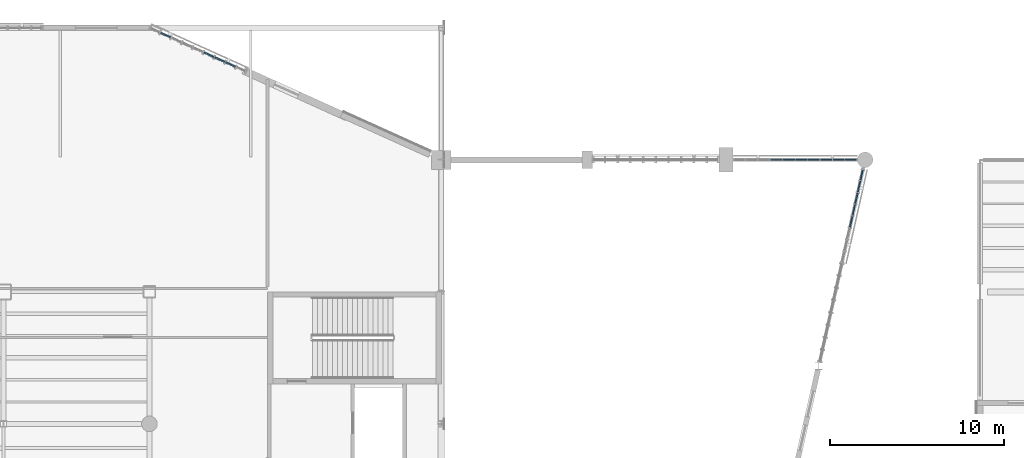
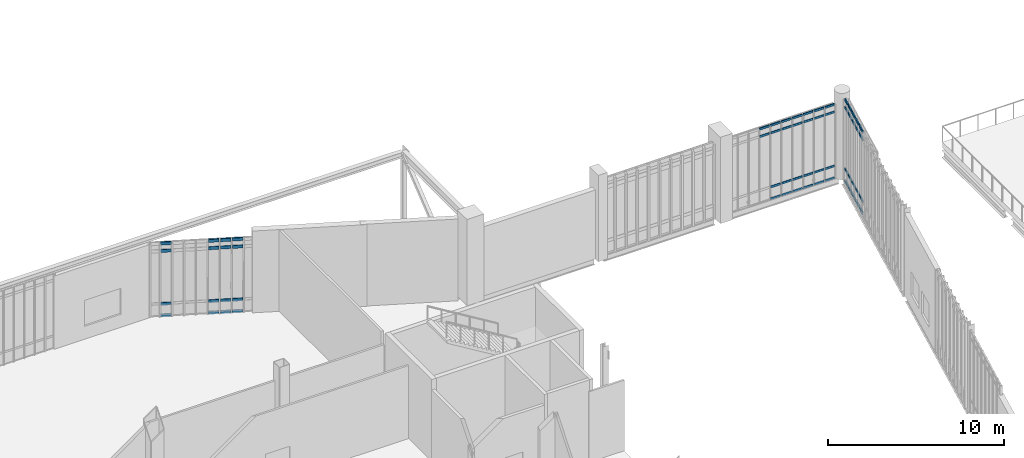
# One storey, part 60 of 135: 62 members, 3 elements without a shape of their own.
"""IFC4 building model written with IfcOpenShell, lengths in metres."""

from ifc_helpers import new_model, si_unit, direction, frame, origin, origin_2d, place, context, subcontext, project, spatial, rectangle, extrude, material, material_profile, profile_set, type_object, element, aggregate, save


model = new_model("IFC4")

# Units and contexts
model_context = context("Model", 3, precision=1e-05, world=origin(), true_north=direction((0.0, 1.0)))
body_context = subcontext(model_context, "Body", "Model", "MODEL_VIEW")
ifc_project = project(units=[si_unit("LENGTHUNIT", "METRE"), si_unit("AREAUNIT", "SQUARE_METRE"), si_unit("VOLUMEUNIT", "CUBIC_METRE"), si_unit("PLANEANGLEUNIT", "RADIAN"), si_unit("MASSUNIT", "GRAM", prefix="KILO")], contexts=[model_context])

# Site, building, storey
site_placement = place(None, origin())
site = spatial("IfcSite", under=ifc_project, at=site_placement, CompositionType="ELEMENT")
building_placement = place(site_placement, origin())
building = spatial("IfcBuilding", under=site, at=building_placement, Name="Larkvane Passage Sports Hall", CompositionType="ELEMENT")
storey_placement = place(building_placement, frame((0.0, 0.0, 10.800048828125)))
storey = spatial("IfcBuildingStorey", under=building, at=storey_placement, Name="L02", CompositionType="ELEMENT", Elevation=10.800048828125)

# Curtain wall, members
ifc_material_1 = material(Name="Thermally broken aluminium and low-E glazing", Category="aluminium")
curtain_wall_type_1 = type_object("IfcCurtainWallType", Name="CW-UNIT-COURT", PredefinedType="USERDEFINED", material=ifc_material_1)
curtain_wall_1_placement = place(storey_placement, origin())
curtain_wall_1 = element("IfcCurtainWall", 1, at=curtain_wall_1_placement, inside=storey, type_object=curtain_wall_type_1, Name="Curtain wall CW5-L02-080", ObjectType="UNITISED CURTAIN WALL", PredefinedType="USERDEFINED")
ifc_material_2 = material(Name="Anodised aluminium 6063-T6", Category="aluminium")
ifc_material_profile_1 = material_profile(ifc_material_2, rectangle(XDim=0.06494140625, YDim=0.139892578125, at=origin_2d()), Name="ALU-TRN-65x140")
ifc_profile_set_1 = profile_set([ifc_material_profile_1], Name="Anodised aluminium 6063-T6")
member_type_1 = type_object("IfcMemberType", Name="CW-TRN-65x140", PredefinedType="USERDEFINED", material=ifc_profile_set_1)
member_1_placement = place(storey_placement, frame((112.575927734375, 99.199951171875, 4.597900390625), z_axis=(1.0, 0.0, 0.0), x_axis=(0.0, 1.0, 0.0)))
member_1 = element("IfcMember", 2, at=member_1_placement, type_object=member_type_1, Name="CW-01 transom 4.3", ObjectType="TRANSOM", PredefinedType="USERDEFINED", context=body_context, shape_type="SweptSolid", body=[
    extrude(rectangle(XDim=0.06494140625, YDim=0.139892578125, at=origin_2d()), origin(), (0.0, 0.0, 1.0), 0.65087890625),
])
member_2_placement = place(storey_placement, frame((112.575927734375, 99.199951171875, 5.115478515625), z_axis=(1.0, 0.0, 0.0), x_axis=(0.0, 1.0, 0.0)))
member_2 = element("IfcMember", 3, at=member_2_placement, type_object=member_type_1, Name="CW-01 transom 4.4", ObjectType="TRANSOM", PredefinedType="USERDEFINED", context=body_context, shape_type="SweptSolid", body=[
    extrude(rectangle(XDim=0.06494140625, YDim=0.139892578125, at=origin_2d()), origin(), (0.0, 0.0, 1.0), 0.65087890625),
])
member_3_placement = place(storey_placement, frame((113.291748046875, 99.199951171875, 0.032470703125), z_axis=(1.0, 0.0, 0.0), x_axis=(0.0, 1.0, 0.0)))
member_3 = element("IfcMember", 4, at=member_3_placement, type_object=member_type_1, Name="CW-01 transom 5.1", ObjectType="TRANSOM", PredefinedType="USERDEFINED", context=body_context, shape_type="SweptSolid", body=[
    extrude(rectangle(XDim=0.06494140625, YDim=0.139892578125, at=origin_2d()), origin(), (0.0, 0.0, 1.0), 0.650634765625),
])
member_4_placement = place(storey_placement, frame((113.291748046875, 99.199951171875, 0.849853515625), z_axis=(1.0, 0.0, 0.0), x_axis=(0.0, 1.0, 0.0)))
member_4 = element("IfcMember", 5, at=member_4_placement, type_object=member_type_1, Name="CW-01 transom 5.2", ObjectType="TRANSOM", PredefinedType="USERDEFINED", context=body_context, shape_type="SweptSolid", body=[
    extrude(rectangle(XDim=0.06494140625, YDim=0.139892578125, at=origin_2d()), origin(), (0.0, 0.0, 1.0), 0.650634765625),
])
member_5_placement = place(storey_placement, frame((113.291748046875, 99.199951171875, 4.597900390625), z_axis=(1.0, 0.0, 0.0), x_axis=(0.0, 1.0, 0.0)))
member_5 = element("IfcMember", 6, at=member_5_placement, type_object=member_type_1, Name="CW-01 transom 5.3", ObjectType="TRANSOM", PredefinedType="USERDEFINED", context=body_context, shape_type="SweptSolid", body=[
    extrude(rectangle(XDim=0.06494140625, YDim=0.139892578125, at=origin_2d()), origin(), (0.0, 0.0, 1.0), 0.650634765625),
])
member_6_placement = place(storey_placement, frame((113.291748046875, 99.199951171875, 5.115478515625), z_axis=(1.0, 0.0, 0.0), x_axis=(0.0, 1.0, 0.0)))
member_6 = element("IfcMember", 7, at=member_6_placement, type_object=member_type_1, Name="CW-01 transom 5.4", ObjectType="TRANSOM", PredefinedType="USERDEFINED", context=body_context, shape_type="SweptSolid", body=[
    extrude(rectangle(XDim=0.06494140625, YDim=0.139892578125, at=origin_2d()), origin(), (0.0, 0.0, 1.0), 0.650634765625),
])
member_7_placement = place(storey_placement, frame((114.007568359375, 99.199951171875, 0.032470703125), z_axis=(1.0, 0.0, 0.0), x_axis=(0.0, 1.0, 0.0)))
member_7 = element("IfcMember", 8, at=member_7_placement, type_object=member_type_1, Name="CW-01 transom 6.1", ObjectType="TRANSOM", PredefinedType="USERDEFINED", context=body_context, shape_type="SweptSolid", body=[
    extrude(rectangle(XDim=0.06494140625, YDim=0.139892578125, at=origin_2d()), origin(), (0.0, 0.0, 1.0), 0.650634765625),
])
member_8_placement = place(storey_placement, frame((114.007568359375, 99.199951171875, 0.849853515625), z_axis=(1.0, 0.0, 0.0), x_axis=(0.0, 1.0, 0.0)))
member_8 = element("IfcMember", 9, at=member_8_placement, type_object=member_type_1, Name="CW-01 transom 6.2", ObjectType="TRANSOM", PredefinedType="USERDEFINED", context=body_context, shape_type="SweptSolid", body=[
    extrude(rectangle(XDim=0.06494140625, YDim=0.139892578125, at=origin_2d()), origin(), (0.0, 0.0, 1.0), 0.650634765625),
])
member_9_placement = place(storey_placement, frame((114.007568359375, 99.199951171875, 4.597900390625), z_axis=(1.0, 0.0, 0.0), x_axis=(0.0, 1.0, 0.0)))
member_9 = element("IfcMember", 10, at=member_9_placement, type_object=member_type_1, Name="CW-01 transom 6.3", ObjectType="TRANSOM", PredefinedType="USERDEFINED", context=body_context, shape_type="SweptSolid", body=[
    extrude(rectangle(XDim=0.06494140625, YDim=0.139892578125, at=origin_2d()), origin(), (0.0, 0.0, 1.0), 0.650634765625),
])
member_10_placement = place(storey_placement, frame((114.007568359375, 99.199951171875, 5.115478515625), z_axis=(1.0, 0.0, 0.0), x_axis=(0.0, 1.0, 0.0)))
member_10 = element("IfcMember", 11, at=member_10_placement, type_object=member_type_1, Name="CW-01 transom 6.4", ObjectType="TRANSOM", PredefinedType="USERDEFINED", context=body_context, shape_type="SweptSolid", body=[
    extrude(rectangle(XDim=0.06494140625, YDim=0.139892578125, at=origin_2d()), origin(), (0.0, 0.0, 1.0), 0.650634765625),
])
member_11_placement = place(storey_placement, frame((114.723388671875, 99.199951171875, 0.032470703125), z_axis=(1.0, 0.0, 0.0), x_axis=(0.0, 1.0, 0.0)))
member_11 = element("IfcMember", 12, at=member_11_placement, type_object=member_type_1, Name="CW-01 transom 7.1", ObjectType="TRANSOM", PredefinedType="USERDEFINED", context=body_context, shape_type="SweptSolid", body=[
    extrude(rectangle(XDim=0.06494140625, YDim=0.139892578125, at=origin_2d()), origin(), (0.0, 0.0, 1.0), 0.650634765625),
])
member_12_placement = place(storey_placement, frame((114.723388671875, 99.199951171875, 0.849853515625), z_axis=(1.0, 0.0, 0.0), x_axis=(0.0, 1.0, 0.0)))
member_12 = element("IfcMember", 13, at=member_12_placement, type_object=member_type_1, Name="CW-01 transom 7.2", ObjectType="TRANSOM", PredefinedType="USERDEFINED", context=body_context, shape_type="SweptSolid", body=[
    extrude(rectangle(XDim=0.06494140625, YDim=0.139892578125, at=origin_2d()), origin(), (0.0, 0.0, 1.0), 0.650634765625),
])
member_13_placement = place(storey_placement, frame((114.723388671875, 99.199951171875, 4.597900390625), z_axis=(1.0, 0.0, 0.0), x_axis=(0.0, 1.0, 0.0)))
member_13 = element("IfcMember", 14, at=member_13_placement, type_object=member_type_1, Name="CW-01 transom 7.3", ObjectType="TRANSOM", PredefinedType="USERDEFINED", context=body_context, shape_type="SweptSolid", body=[
    extrude(rectangle(XDim=0.06494140625, YDim=0.139892578125, at=origin_2d()), origin(), (0.0, 0.0, 1.0), 0.650634765625),
])
member_14_placement = place(storey_placement, frame((114.723388671875, 99.199951171875, 5.115478515625), z_axis=(1.0, 0.0, 0.0), x_axis=(0.0, 1.0, 0.0)))
member_14 = element("IfcMember", 15, at=member_14_placement, type_object=member_type_1, Name="CW-01 transom 7.4", ObjectType="TRANSOM", PredefinedType="USERDEFINED", context=body_context, shape_type="SweptSolid", body=[
    extrude(rectangle(XDim=0.06494140625, YDim=0.139892578125, at=origin_2d()), origin(), (0.0, 0.0, 1.0), 0.650634765625),
])
member_15_placement = place(storey_placement, frame((115.439208984375, 99.199951171875, 0.032470703125), z_axis=(1.0, 0.0, 0.0), x_axis=(0.0, 1.0, 0.0)))
member_15 = element("IfcMember", 16, at=member_15_placement, type_object=member_type_1, Name="CW-01 transom 8.1", ObjectType="TRANSOM", PredefinedType="USERDEFINED", context=body_context, shape_type="SweptSolid", body=[
    extrude(rectangle(XDim=0.06494140625, YDim=0.139892578125, at=origin_2d()), origin(), (0.0, 0.0, 1.0), 0.650634765625),
])
member_16_placement = place(storey_placement, frame((115.439208984375, 99.199951171875, 0.849853515625), z_axis=(1.0, 0.0, 0.0), x_axis=(0.0, 1.0, 0.0)))
member_16 = element("IfcMember", 17, at=member_16_placement, type_object=member_type_1, Name="CW-01 transom 8.2", ObjectType="TRANSOM", PredefinedType="USERDEFINED", context=body_context, shape_type="SweptSolid", body=[
    extrude(rectangle(XDim=0.06494140625, YDim=0.139892578125, at=origin_2d()), origin(), (0.0, 0.0, 1.0), 0.650634765625),
])
member_17_placement = place(storey_placement, frame((115.439208984375, 99.199951171875, 4.597900390625), z_axis=(1.0, 0.0, 0.0), x_axis=(0.0, 1.0, 0.0)))
member_17 = element("IfcMember", 18, at=member_17_placement, type_object=member_type_1, Name="CW-01 transom 8.3", ObjectType="TRANSOM", PredefinedType="USERDEFINED", context=body_context, shape_type="SweptSolid", body=[
    extrude(rectangle(XDim=0.06494140625, YDim=0.139892578125, at=origin_2d()), origin(), (0.0, 0.0, 1.0), 0.650634765625),
])
member_18_placement = place(storey_placement, frame((115.439208984375, 99.199951171875, 5.115478515625), z_axis=(1.0, 0.0, 0.0), x_axis=(0.0, 1.0, 0.0)))
member_18 = element("IfcMember", 19, at=member_18_placement, type_object=member_type_1, Name="CW-01 transom 8.4", ObjectType="TRANSOM", PredefinedType="USERDEFINED", context=body_context, shape_type="SweptSolid", body=[
    extrude(rectangle(XDim=0.06494140625, YDim=0.139892578125, at=origin_2d()), origin(), (0.0, 0.0, 1.0), 0.650634765625),
])
member_19_placement = place(storey_placement, frame((116.15478515625, 99.199951171875, 0.032470703125), z_axis=(1.0, 0.0, 0.0), x_axis=(0.0, 1.0, 0.0)))
member_19 = element("IfcMember", 20, at=member_19_placement, type_object=member_type_1, Name="CW-01 transom 9.1", ObjectType="TRANSOM", PredefinedType="USERDEFINED", context=body_context, shape_type="SweptSolid", body=[
    extrude(rectangle(XDim=0.06494140625, YDim=0.139892578125, at=origin_2d()), origin(), (0.0, 0.0, 1.0), 0.65087890625),
])
member_20_placement = place(storey_placement, frame((116.15478515625, 99.199951171875, 0.849853515625), z_axis=(1.0, 0.0, 0.0), x_axis=(0.0, 1.0, 0.0)))
member_20 = element("IfcMember", 21, at=member_20_placement, type_object=member_type_1, Name="CW-01 transom 9.2", ObjectType="TRANSOM", PredefinedType="USERDEFINED", context=body_context, shape_type="SweptSolid", body=[
    extrude(rectangle(XDim=0.06494140625, YDim=0.139892578125, at=origin_2d()), origin(), (0.0, 0.0, 1.0), 0.65087890625),
])
member_21_placement = place(storey_placement, frame((116.15478515625, 99.199951171875, 4.597900390625), z_axis=(1.0, 0.0, 0.0), x_axis=(0.0, 1.0, 0.0)))
member_21 = element("IfcMember", 22, at=member_21_placement, type_object=member_type_1, Name="CW-01 transom 9.3", ObjectType="TRANSOM", PredefinedType="USERDEFINED", context=body_context, shape_type="SweptSolid", body=[
    extrude(rectangle(XDim=0.06494140625, YDim=0.139892578125, at=origin_2d()), origin(), (0.0, 0.0, 1.0), 0.65087890625),
])
member_22_placement = place(storey_placement, frame((116.15478515625, 99.199951171875, 5.115478515625), z_axis=(1.0, 0.0, 0.0), x_axis=(0.0, 1.0, 0.0)))
member_22 = element("IfcMember", 23, at=member_22_placement, type_object=member_type_1, Name="CW-01 transom 9.4", ObjectType="TRANSOM", PredefinedType="USERDEFINED", context=body_context, shape_type="SweptSolid", body=[
    extrude(rectangle(XDim=0.06494140625, YDim=0.139892578125, at=origin_2d()), origin(), (0.0, 0.0, 1.0), 0.65087890625),
])
member_23_placement = place(storey_placement, frame((116.87060546875, 99.199951171875, 0.032470703125), z_axis=(1.0, 0.0, 0.0), x_axis=(0.0, 1.0, 0.0)))
member_23 = element("IfcMember", 24, at=member_23_placement, type_object=member_type_1, Name="CW-01 transom 10.1", ObjectType="TRANSOM", PredefinedType="USERDEFINED", context=body_context, shape_type="SweptSolid", body=[
    extrude(rectangle(XDim=0.06494140625, YDim=0.139892578125, at=origin_2d()), origin(), (0.0, 0.0, 1.0), 0.618408203125),
])
member_24_placement = place(storey_placement, frame((116.87060546875, 99.199951171875, 0.849853515625), z_axis=(1.0, 0.0, 0.0), x_axis=(0.0, 1.0, 0.0)))
member_24 = element("IfcMember", 25, at=member_24_placement, type_object=member_type_1, Name="CW-01 transom 10.2", ObjectType="TRANSOM", PredefinedType="USERDEFINED", context=body_context, shape_type="SweptSolid", body=[
    extrude(rectangle(XDim=0.06494140625, YDim=0.139892578125, at=origin_2d()), origin(), (0.0, 0.0, 1.0), 0.618408203125),
])
member_25_placement = place(storey_placement, frame((116.87060546875, 99.199951171875, 4.597900390625), z_axis=(1.0, 0.0, 0.0), x_axis=(0.0, 1.0, 0.0)))
member_25 = element("IfcMember", 26, at=member_25_placement, type_object=member_type_1, Name="CW-01 transom 10.3", ObjectType="TRANSOM", PredefinedType="USERDEFINED", context=body_context, shape_type="SweptSolid", body=[
    extrude(rectangle(XDim=0.06494140625, YDim=0.139892578125, at=origin_2d()), origin(), (0.0, 0.0, 1.0), 0.618408203125),
])
member_26_placement = place(storey_placement, frame((116.87060546875, 99.199951171875, 5.115478515625), z_axis=(1.0, 0.0, 0.0), x_axis=(0.0, 1.0, 0.0)))
member_26 = element("IfcMember", 27, at=member_26_placement, type_object=member_type_1, Name="CW-01 transom 10.4", ObjectType="TRANSOM", PredefinedType="USERDEFINED", context=body_context, shape_type="SweptSolid", body=[
    extrude(rectangle(XDim=0.06494140625, YDim=0.139892578125, at=origin_2d()), origin(), (0.0, 0.0, 1.0), 0.618408203125),
])
aggregate(curtain_wall_1, [member_1, member_2, member_3, member_4, member_5, member_6, member_7, member_8, member_9, member_10, member_11, member_12, member_13, member_14, member_15, member_16, member_17, member_18, member_19, member_20, member_21, member_22, member_23, member_24, member_25, member_26])

curtain_wall_type_2 = type_object("IfcCurtainWallType", Name="CW-UNIT-VEIL", PredefinedType="USERDEFINED", material=ifc_material_1)
curtain_wall_2_placement = place(storey_placement, origin())
curtain_wall_2 = element("IfcCurtainWall", 28, at=curtain_wall_2_placement, inside=storey, type_object=curtain_wall_type_2, Name="Curtain wall CW5-L02-081", ObjectType="UNITISED CURTAIN WALL", PredefinedType="USERDEFINED")
ifc_material_profile_2 = material_profile(ifc_material_2, rectangle(XDim=0.074951171875, YDim=0.18505859375, at=origin_2d()), Name="ALU-TRN-75x185")
ifc_profile_set_2 = profile_set([ifc_material_profile_2], Name="Anodised aluminium 6063-T6")
member_type_2 = type_object("IfcMemberType", Name="CW-TRN-75x185", PredefinedType="USERDEFINED", material=ifc_profile_set_2)
member_27_placement = place(storey_placement, frame((117.866455078125, 98.606201171875, 0.037353515625), z_axis=(-0.219242344459, -0.97567043329, 0.0), x_axis=(0.97567043329, -0.219242344459, 0.0)))
member_27 = element("IfcMember", 29, at=member_27_placement, type_object=member_type_2, Name="CW-02 transom 1.1", ObjectType="TRANSOM", PredefinedType="USERDEFINED", context=body_context, shape_type="SweptSolid", body=[
    extrude(rectangle(XDim=0.074951171875, YDim=0.18505859375, at=origin_2d()), origin(), (0.0, 0.0, 1.0), 0.581298828125),
])
member_28_placement = place(storey_placement, frame((117.866455078125, 98.606201171875, 0.849853515625), z_axis=(-0.219242344459, -0.97567043329, 0.0), x_axis=(0.97567043329, -0.219242344459, 0.0)))
member_28 = element("IfcMember", 30, at=member_28_placement, type_object=member_type_2, Name="CW-02 transom 1.2", ObjectType="TRANSOM", PredefinedType="USERDEFINED", context=body_context, shape_type="SweptSolid", body=[
    extrude(rectangle(XDim=0.074951171875, YDim=0.18505859375, at=origin_2d()), origin(), (0.0, 0.0, 1.0), 0.581298828125),
])
member_29_placement = place(storey_placement, frame((117.866455078125, 98.606201171875, 5.14990234375), z_axis=(-0.219242344459, -0.97567043329, 0.0), x_axis=(0.97567043329, -0.219242344459, 0.0)))
member_29 = element("IfcMember", 31, at=member_29_placement, type_object=member_type_2, Name="CW-02 transom 1.3", ObjectType="TRANSOM", PredefinedType="USERDEFINED", context=body_context, shape_type="SweptSolid", body=[
    extrude(rectangle(XDim=0.074951171875, YDim=0.18505859375, at=origin_2d()), origin(), (0.0, 0.0, 1.0), 0.581298828125),
])
member_30_placement = place(storey_placement, frame((117.866455078125, 98.606201171875, 5.662353515625), z_axis=(-0.219242344459, -0.97567043329, 0.0), x_axis=(0.97567043329, -0.219242344459, 0.0)))
member_30 = element("IfcMember", 32, at=member_30_placement, type_object=member_type_2, Name="CW-02 transom 1.4", ObjectType="TRANSOM", PredefinedType="USERDEFINED", context=body_context, shape_type="SweptSolid", body=[
    extrude(rectangle(XDim=0.074951171875, YDim=0.18505859375, at=origin_2d()), origin(), (0.0, 0.0, 1.0), 0.581298828125),
])
member_31_placement = place(storey_placement, frame((117.72265625, 97.9658203125, 0.037353515625), z_axis=(-0.219437063767, -0.975626657613, 0.0), x_axis=(0.975626657613, -0.219437063767, 0.0)))
member_31 = element("IfcMember", 33, at=member_31_placement, type_object=member_type_2, Name="CW-02 transom 2.1", ObjectType="TRANSOM", PredefinedType="USERDEFINED", context=body_context, shape_type="SweptSolid", body=[
    extrude(rectangle(XDim=0.074951171875, YDim=0.18505859375, at=origin_2d()), origin(), (0.0, 0.0, 1.0), 0.61865234375),
])
member_32_placement = place(storey_placement, frame((117.72265625, 97.9658203125, 0.849853515625), z_axis=(-0.219437063767, -0.975626657613, 0.0), x_axis=(0.975626657613, -0.219437063767, 0.0)))
member_32 = element("IfcMember", 34, at=member_32_placement, type_object=member_type_2, Name="CW-02 transom 2.2", ObjectType="TRANSOM", PredefinedType="USERDEFINED", context=body_context, shape_type="SweptSolid", body=[
    extrude(rectangle(XDim=0.074951171875, YDim=0.18505859375, at=origin_2d()), origin(), (0.0, 0.0, 1.0), 0.61865234375),
])
member_33_placement = place(storey_placement, frame((117.72265625, 97.9658203125, 5.14990234375), z_axis=(-0.219437063767, -0.975626657613, 0.0), x_axis=(0.975626657613, -0.219437063767, 0.0)))
member_33 = element("IfcMember", 35, at=member_33_placement, type_object=member_type_2, Name="CW-02 transom 2.3", ObjectType="TRANSOM", PredefinedType="USERDEFINED", context=body_context, shape_type="SweptSolid", body=[
    extrude(rectangle(XDim=0.074951171875, YDim=0.18505859375, at=origin_2d()), origin(), (0.0, 0.0, 1.0), 0.61865234375),
])
member_34_placement = place(storey_placement, frame((117.72265625, 97.9658203125, 5.662353515625), z_axis=(-0.219437063767, -0.975626657613, 0.0), x_axis=(0.975626657613, -0.219437063767, 0.0)))
member_34 = element("IfcMember", 36, at=member_34_placement, type_object=member_type_2, Name="CW-02 transom 2.4", ObjectType="TRANSOM", PredefinedType="USERDEFINED", context=body_context, shape_type="SweptSolid", body=[
    extrude(rectangle(XDim=0.074951171875, YDim=0.18505859375, at=origin_2d()), origin(), (0.0, 0.0, 1.0), 0.61865234375),
])
member_35_placement = place(storey_placement, frame((117.570556640625, 97.2890625, 0.037353515625), z_axis=(-0.219352600891, -0.975645651086, 0.0), x_axis=(0.975645651086, -0.219352600891, 0.0)))
member_35 = element("IfcMember", 37, at=member_35_placement, type_object=member_type_2, Name="CW-02 transom 3.1", ObjectType="TRANSOM", PredefinedType="USERDEFINED", context=body_context, shape_type="SweptSolid", body=[
    extrude(rectangle(XDim=0.074951171875, YDim=0.18505859375, at=origin_2d()), origin(), (0.0, 0.0, 1.0), 0.618896484375),
])
member_36_placement = place(storey_placement, frame((117.570556640625, 97.2890625, 0.849853515625), z_axis=(-0.219352600891, -0.975645651086, 0.0), x_axis=(0.975645651086, -0.219352600891, 0.0)))
member_36 = element("IfcMember", 38, at=member_36_placement, type_object=member_type_2, Name="CW-02 transom 3.2", ObjectType="TRANSOM", PredefinedType="USERDEFINED", context=body_context, shape_type="SweptSolid", body=[
    extrude(rectangle(XDim=0.074951171875, YDim=0.18505859375, at=origin_2d()), origin(), (0.0, 0.0, 1.0), 0.618896484375),
])
member_37_placement = place(storey_placement, frame((117.570556640625, 97.2890625, 5.14990234375), z_axis=(-0.219352600891, -0.975645651086, 0.0), x_axis=(0.975645651086, -0.219352600891, 0.0)))
member_37 = element("IfcMember", 39, at=member_37_placement, type_object=member_type_2, Name="CW-02 transom 3.3", ObjectType="TRANSOM", PredefinedType="USERDEFINED", context=body_context, shape_type="SweptSolid", body=[
    extrude(rectangle(XDim=0.074951171875, YDim=0.18505859375, at=origin_2d()), origin(), (0.0, 0.0, 1.0), 0.618896484375),
])
member_38_placement = place(storey_placement, frame((117.570556640625, 97.2890625, 5.662353515625), z_axis=(-0.219352600891, -0.975645651086, 0.0), x_axis=(0.975645651086, -0.219352600891, 0.0)))
member_38 = element("IfcMember", 40, at=member_38_placement, type_object=member_type_2, Name="CW-02 transom 3.4", ObjectType="TRANSOM", PredefinedType="USERDEFINED", context=body_context, shape_type="SweptSolid", body=[
    extrude(rectangle(XDim=0.074951171875, YDim=0.18505859375, at=origin_2d()), origin(), (0.0, 0.0, 1.0), 0.618896484375),
])
member_39_placement = place(storey_placement, frame((117.41845703125, 96.6123046875, 0.037353515625), z_axis=(-0.219352600891, -0.975645651086, 0.0), x_axis=(0.975645651086, -0.219352600891, 0.0)))
member_39 = element("IfcMember", 41, at=member_39_placement, type_object=member_type_2, Name="CW-02 transom 4.1", ObjectType="TRANSOM", PredefinedType="USERDEFINED", context=body_context, shape_type="SweptSolid", body=[
    extrude(rectangle(XDim=0.074951171875, YDim=0.18505859375, at=origin_2d()), origin(), (0.0, 0.0, 1.0), 0.618896484375),
])
member_40_placement = place(storey_placement, frame((117.41845703125, 96.6123046875, 0.849853515625), z_axis=(-0.219352600891, -0.975645651086, 0.0), x_axis=(0.975645651086, -0.219352600891, 0.0)))
member_40 = element("IfcMember", 42, at=member_40_placement, type_object=member_type_2, Name="CW-02 transom 4.2", ObjectType="TRANSOM", PredefinedType="USERDEFINED", context=body_context, shape_type="SweptSolid", body=[
    extrude(rectangle(XDim=0.074951171875, YDim=0.18505859375, at=origin_2d()), origin(), (0.0, 0.0, 1.0), 0.618896484375),
])
member_41_placement = place(storey_placement, frame((117.41845703125, 96.6123046875, 5.14990234375), z_axis=(-0.219352600891, -0.975645651086, 0.0), x_axis=(0.975645651086, -0.219352600891, 0.0)))
member_41 = element("IfcMember", 43, at=member_41_placement, type_object=member_type_2, Name="CW-02 transom 4.3", ObjectType="TRANSOM", PredefinedType="USERDEFINED", context=body_context, shape_type="SweptSolid", body=[
    extrude(rectangle(XDim=0.074951171875, YDim=0.18505859375, at=origin_2d()), origin(), (0.0, 0.0, 1.0), 0.618896484375),
])
member_42_placement = place(storey_placement, frame((117.41845703125, 96.6123046875, 5.662353515625), z_axis=(-0.219352600891, -0.975645651086, 0.0), x_axis=(0.975645651086, -0.219352600891, 0.0)))
member_42 = element("IfcMember", 44, at=member_42_placement, type_object=member_type_2, Name="CW-02 transom 4.4", ObjectType="TRANSOM", PredefinedType="USERDEFINED", context=body_context, shape_type="SweptSolid", body=[
    extrude(rectangle(XDim=0.074951171875, YDim=0.18505859375, at=origin_2d()), origin(), (0.0, 0.0, 1.0), 0.618896484375),
])
member_43_placement = place(storey_placement, frame((117.266357421875, 95.935302734375, 0.037353515625), z_axis=(-0.219437063767, -0.975626657613, 0.0), x_axis=(0.975626657613, -0.219437063767, 0.0)))
member_43 = element("IfcMember", 45, at=member_43_placement, type_object=member_type_2, Name="CW-02 transom 5.1", ObjectType="TRANSOM", PredefinedType="USERDEFINED", context=body_context, shape_type="SweptSolid", body=[
    extrude(rectangle(XDim=0.074951171875, YDim=0.18505859375, at=origin_2d()), origin(), (0.0, 0.0, 1.0), 0.61865234375),
])
member_44_placement = place(storey_placement, frame((117.266357421875, 95.935302734375, 0.849853515625), z_axis=(-0.219437063767, -0.975626657613, 0.0), x_axis=(0.975626657613, -0.219437063767, 0.0)))
member_44 = element("IfcMember", 46, at=member_44_placement, type_object=member_type_2, Name="CW-02 transom 5.2", ObjectType="TRANSOM", PredefinedType="USERDEFINED", context=body_context, shape_type="SweptSolid", body=[
    extrude(rectangle(XDim=0.074951171875, YDim=0.18505859375, at=origin_2d()), origin(), (0.0, 0.0, 1.0), 0.61865234375),
])
member_45_placement = place(storey_placement, frame((117.266357421875, 95.935302734375, 5.14990234375), z_axis=(-0.219437063767, -0.975626657613, 0.0), x_axis=(0.975626657613, -0.219437063767, 0.0)))
member_45 = element("IfcMember", 47, at=member_45_placement, type_object=member_type_2, Name="CW-02 transom 5.3", ObjectType="TRANSOM", PredefinedType="USERDEFINED", context=body_context, shape_type="SweptSolid", body=[
    extrude(rectangle(XDim=0.074951171875, YDim=0.18505859375, at=origin_2d()), origin(), (0.0, 0.0, 1.0), 0.61865234375),
])
member_46_placement = place(storey_placement, frame((117.266357421875, 95.935302734375, 5.662353515625), z_axis=(-0.219437063767, -0.975626657613, 0.0), x_axis=(0.975626657613, -0.219437063767, 0.0)))
member_46 = element("IfcMember", 48, at=member_46_placement, type_object=member_type_2, Name="CW-02 transom 5.4", ObjectType="TRANSOM", PredefinedType="USERDEFINED", context=body_context, shape_type="SweptSolid", body=[
    extrude(rectangle(XDim=0.074951171875, YDim=0.18505859375, at=origin_2d()), origin(), (0.0, 0.0, 1.0), 0.61865234375),
])
aggregate(curtain_wall_2, [member_27, member_28, member_29, member_30, member_31, member_32, member_33, member_34, member_35, member_36, member_37, member_38, member_39, member_40, member_41, member_42, member_43, member_44, member_45, member_46])

curtain_wall_type_3 = type_object("IfcCurtainWallType", Name="CW-STICK-FOYER", PredefinedType="USERDEFINED", material=ifc_material_1)
curtain_wall_3_placement = place(storey_placement, origin())
curtain_wall_3 = element("IfcCurtainWall", 49, at=curtain_wall_3_placement, inside=storey, type_object=curtain_wall_type_3, Name="Curtain wall CW5-L02-078", ObjectType="STICK CURTAIN WALL", PredefinedType="USERDEFINED")
ifc_material_profile_3 = material_profile(ifc_material_2, rectangle(XDim=0.080078125, YDim=0.2099609375, at=origin_2d()), Name="ALU-TRN-80x210")
ifc_profile_set_3 = profile_set([ifc_material_profile_3], Name="Anodised aluminium 6063-T6")
member_type_3 = type_object("IfcMemberType", Name="CW-TRN-80x210", PredefinedType="USERDEFINED", material=ifc_profile_set_3)
member_47_placement = place(storey_placement, frame((77.458740234375, 106.501953125, 0.0400390625), z_axis=(0.91108619842, -0.412215888885, 0.0), x_axis=(0.412215888885, 0.91108619842, 0.0)))
member_47 = element("IfcMember", 50, at=member_47_placement, type_object=member_type_3, Name="CW-03 transom 2.1", ObjectType="TRANSOM", PredefinedType="USERDEFINED", context=body_context, shape_type="SweptSolid", body=[
    extrude(rectangle(XDim=0.080078125, YDim=0.2099609375, at=origin_2d()), origin(), (0.0, 0.0, 1.0), 0.60302734375),
])
member_48_placement = place(storey_placement, frame((77.458740234375, 106.501953125, 0.849853515625), z_axis=(0.91108619842, -0.412215888885, 0.0), x_axis=(0.412215888885, 0.91108619842, 0.0)))
member_48 = element("IfcMember", 51, at=member_48_placement, type_object=member_type_3, Name="CW-03 transom 2.2", ObjectType="TRANSOM", PredefinedType="USERDEFINED", context=body_context, shape_type="SweptSolid", body=[
    extrude(rectangle(XDim=0.080078125, YDim=0.2099609375, at=origin_2d()), origin(), (0.0, 0.0, 1.0), 0.60302734375),
])
member_49_placement = place(storey_placement, frame((77.458740234375, 106.501953125, 4.530029296875), z_axis=(0.91108619842, -0.412215888885, 0.0), x_axis=(0.412215888885, 0.91108619842, 0.0)))
member_49 = element("IfcMember", 52, at=member_49_placement, type_object=member_type_3, Name="CW-03 transom 2.3", ObjectType="TRANSOM", PredefinedType="USERDEFINED", context=body_context, shape_type="SweptSolid", body=[
    extrude(rectangle(XDim=0.080078125, YDim=0.2099609375, at=origin_2d()), origin(), (0.0, 0.0, 1.0), 0.60302734375),
])
member_50_placement = place(storey_placement, frame((77.458740234375, 106.501953125, 5.0400390625), z_axis=(0.91108619842, -0.412215888885, 0.0), x_axis=(0.412215888885, 0.91108619842, 0.0)))
member_50 = element("IfcMember", 53, at=member_50_placement, type_object=member_type_3, Name="CW-03 transom 2.4", ObjectType="TRANSOM", PredefinedType="USERDEFINED", context=body_context, shape_type="SweptSolid", body=[
    extrude(rectangle(XDim=0.080078125, YDim=0.2099609375, at=origin_2d()), origin(), (0.0, 0.0, 1.0), 0.60302734375),
])
member_51_placement = place(storey_placement, frame((79.947509765625, 105.376220703125, 0.0400390625), z_axis=(0.91108619842, -0.412215888885, 0.0), x_axis=(0.412215888885, 0.91108619842, 0.0)))
member_51 = element("IfcMember", 54, at=member_51_placement, type_object=member_type_3, Name="CW-03 transom 6.1", ObjectType="TRANSOM", PredefinedType="USERDEFINED", context=body_context, shape_type="SweptSolid", body=[
    extrude(rectangle(XDim=0.080078125, YDim=0.2099609375, at=origin_2d()), origin(), (0.0, 0.0, 1.0), 0.60302734375),
])
member_52_placement = place(storey_placement, frame((79.947509765625, 105.376220703125, 0.849853515625), z_axis=(0.91108619842, -0.412215888885, 0.0), x_axis=(0.412215888885, 0.91108619842, 0.0)))
member_52 = element("IfcMember", 55, at=member_52_placement, type_object=member_type_3, Name="CW-03 transom 6.2", ObjectType="TRANSOM", PredefinedType="USERDEFINED", context=body_context, shape_type="SweptSolid", body=[
    extrude(rectangle(XDim=0.080078125, YDim=0.2099609375, at=origin_2d()), origin(), (0.0, 0.0, 1.0), 0.60302734375),
])
member_53_placement = place(storey_placement, frame((79.947509765625, 105.376220703125, 4.530029296875), z_axis=(0.91108619842, -0.412215888885, 0.0), x_axis=(0.412215888885, 0.91108619842, 0.0)))
member_53 = element("IfcMember", 56, at=member_53_placement, type_object=member_type_3, Name="CW-03 transom 6.3", ObjectType="TRANSOM", PredefinedType="USERDEFINED", context=body_context, shape_type="SweptSolid", body=[
    extrude(rectangle(XDim=0.080078125, YDim=0.2099609375, at=origin_2d()), origin(), (0.0, 0.0, 1.0), 0.60302734375),
])
member_54_placement = place(storey_placement, frame((79.947509765625, 105.376220703125, 5.0400390625), z_axis=(0.91108619842, -0.412215888885, 0.0), x_axis=(0.412215888885, 0.91108619842, 0.0)))
member_54 = element("IfcMember", 57, at=member_54_placement, type_object=member_type_3, Name="CW-03 transom 6.4", ObjectType="TRANSOM", PredefinedType="USERDEFINED", context=body_context, shape_type="SweptSolid", body=[
    extrude(rectangle(XDim=0.080078125, YDim=0.2099609375, at=origin_2d()), origin(), (0.0, 0.0, 1.0), 0.60302734375),
])
member_55_placement = place(storey_placement, frame((80.56982421875, 105.0947265625, 0.0400390625), z_axis=(0.91108619842, -0.412215888885, 0.0), x_axis=(0.412215888885, 0.91108619842, 0.0)))
member_55 = element("IfcMember", 58, at=member_55_placement, type_object=member_type_3, Name="CW-03 transom 7.1", ObjectType="TRANSOM", PredefinedType="USERDEFINED", context=body_context, shape_type="SweptSolid", body=[
    extrude(rectangle(XDim=0.080078125, YDim=0.2099609375, at=origin_2d()), origin(), (0.0, 0.0, 1.0), 0.60302734375),
])
member_56_placement = place(storey_placement, frame((80.56982421875, 105.0947265625, 0.849853515625), z_axis=(0.91108619842, -0.412215888885, 0.0), x_axis=(0.412215888885, 0.91108619842, 0.0)))
member_56 = element("IfcMember", 59, at=member_56_placement, type_object=member_type_3, Name="CW-03 transom 7.2", ObjectType="TRANSOM", PredefinedType="USERDEFINED", context=body_context, shape_type="SweptSolid", body=[
    extrude(rectangle(XDim=0.080078125, YDim=0.2099609375, at=origin_2d()), origin(), (0.0, 0.0, 1.0), 0.60302734375),
])
member_57_placement = place(storey_placement, frame((80.56982421875, 105.0947265625, 4.530029296875), z_axis=(0.91108619842, -0.412215888885, 0.0), x_axis=(0.412215888885, 0.91108619842, 0.0)))
member_57 = element("IfcMember", 60, at=member_57_placement, type_object=member_type_3, Name="CW-03 transom 7.3", ObjectType="TRANSOM", PredefinedType="USERDEFINED", context=body_context, shape_type="SweptSolid", body=[
    extrude(rectangle(XDim=0.080078125, YDim=0.2099609375, at=origin_2d()), origin(), (0.0, 0.0, 1.0), 0.60302734375),
])
member_58_placement = place(storey_placement, frame((80.56982421875, 105.0947265625, 5.0400390625), z_axis=(0.91108619842, -0.412215888885, 0.0), x_axis=(0.412215888885, 0.91108619842, 0.0)))
member_58 = element("IfcMember", 61, at=member_58_placement, type_object=member_type_3, Name="CW-03 transom 7.4", ObjectType="TRANSOM", PredefinedType="USERDEFINED", context=body_context, shape_type="SweptSolid", body=[
    extrude(rectangle(XDim=0.080078125, YDim=0.2099609375, at=origin_2d()), origin(), (0.0, 0.0, 1.0), 0.60302734375),
])
member_59_placement = place(storey_placement, frame((81.19189453125, 104.813232421875, 0.0400390625), z_axis=(0.911154966376, -0.41206386307, 0.0), x_axis=(0.41206386307, 0.911154966376, 0.0)))
member_59 = element("IfcMember", 62, at=member_59_placement, type_object=member_type_3, Name="CW-03 transom 8.1", ObjectType="TRANSOM", PredefinedType="USERDEFINED", context=body_context, shape_type="SweptSolid", body=[
    extrude(rectangle(XDim=0.080078125, YDim=0.2099609375, at=origin_2d()), origin(), (0.0, 0.0, 1.0), 0.60302734375),
])
member_60_placement = place(storey_placement, frame((81.19189453125, 104.813232421875, 0.849853515625), z_axis=(0.911154966376, -0.41206386307, 0.0), x_axis=(0.41206386307, 0.911154966376, 0.0)))
member_60 = element("IfcMember", 63, at=member_60_placement, type_object=member_type_3, Name="CW-03 transom 8.2", ObjectType="TRANSOM", PredefinedType="USERDEFINED", context=body_context, shape_type="SweptSolid", body=[
    extrude(rectangle(XDim=0.080078125, YDim=0.2099609375, at=origin_2d()), origin(), (0.0, 0.0, 1.0), 0.60302734375),
])
member_61_placement = place(storey_placement, frame((81.19189453125, 104.813232421875, 4.530029296875), z_axis=(0.911154966376, -0.41206386307, 0.0), x_axis=(0.41206386307, 0.911154966376, 0.0)))
member_61 = element("IfcMember", 64, at=member_61_placement, type_object=member_type_3, Name="CW-03 transom 8.3", ObjectType="TRANSOM", PredefinedType="USERDEFINED", context=body_context, shape_type="SweptSolid", body=[
    extrude(rectangle(XDim=0.080078125, YDim=0.2099609375, at=origin_2d()), origin(), (0.0, 0.0, 1.0), 0.60302734375),
])
member_62_placement = place(storey_placement, frame((81.19189453125, 104.813232421875, 5.0400390625), z_axis=(0.911154966376, -0.41206386307, 0.0), x_axis=(0.41206386307, 0.911154966376, 0.0)))
member_62 = element("IfcMember", 65, at=member_62_placement, type_object=member_type_3, Name="CW-03 transom 8.4", ObjectType="TRANSOM", PredefinedType="USERDEFINED", context=body_context, shape_type="SweptSolid", body=[
    extrude(rectangle(XDim=0.080078125, YDim=0.2099609375, at=origin_2d()), origin(), (0.0, 0.0, 1.0), 0.60302734375),
])
aggregate(curtain_wall_3, [member_47, member_48, member_49, member_50, member_51, member_52, member_53, member_54, member_55, member_56, member_57, member_58, member_59, member_60, member_61, member_62])

save(model, "model.ifc")
